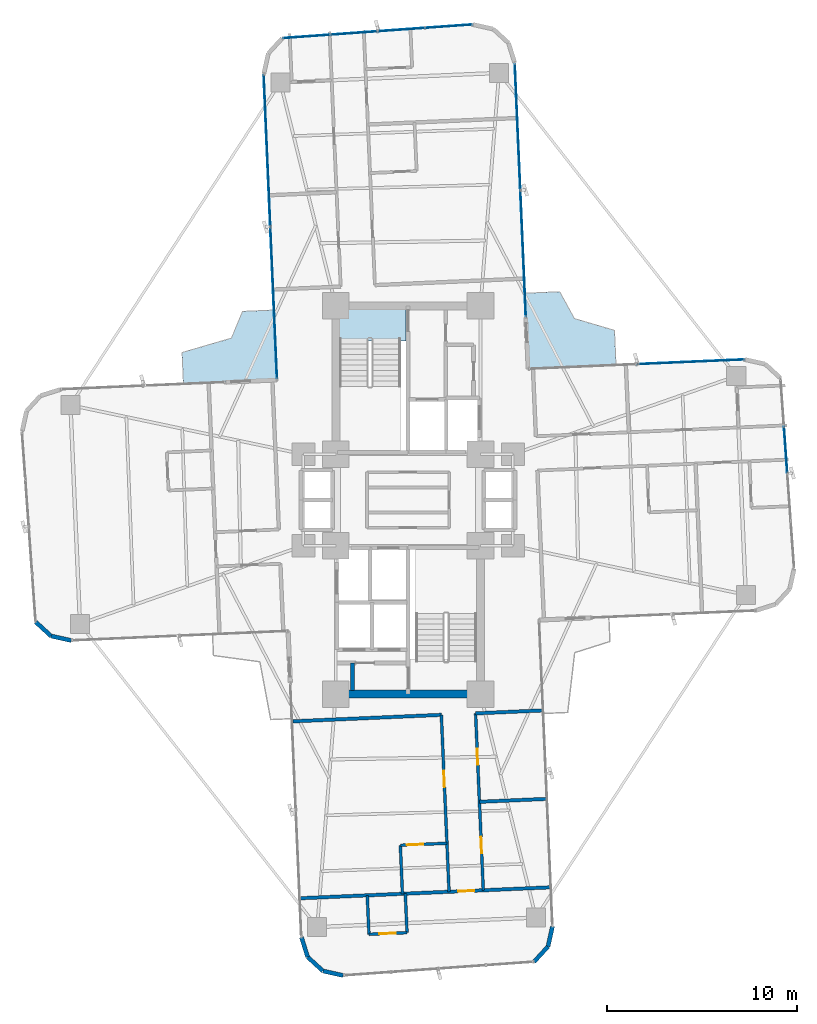
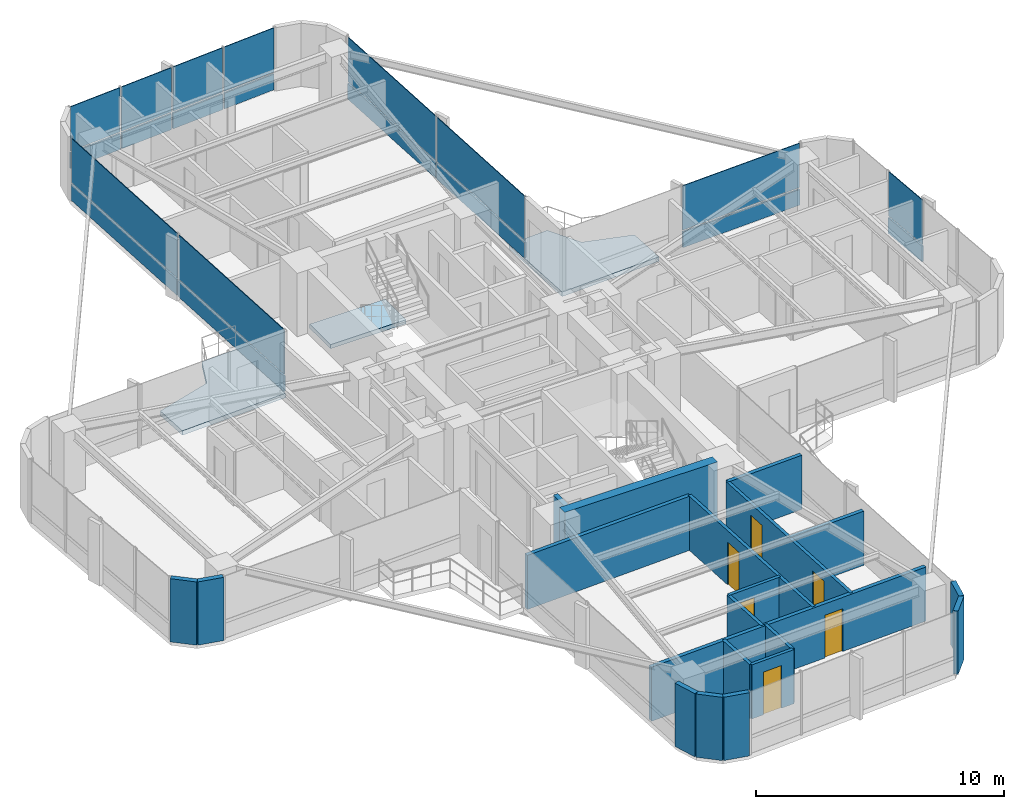
# One storey, part 22 of 26: 20 plates, 20 walls, 6 doors, 3 slabs, 6 openings, 5 elements without a shape of their own.
"""IFC4 building model written with IfcOpenShell, lengths in metres."""

import ifcopenshell
import ifcopenshell.guid

model = None  # the IFC model being written
_history = None  # IfcOwnerHistory: only IFC2X3 demands one
_inside = {}  # id of a spatial element -> (the spatial element, [elements in it])
_under = {}  # id of a project, library or spatial element -> (it, [spatial elements below it])
_declared = {}  # id of a project -> (the project, [libraries it declares])
_typed = {}  # id of a type object -> (the type object, [elements of that type])
_made_of = {}  # id of a material, layer set ... -> (it, [elements and type objects made of it])


def new_model(schema):
    """Start an empty IFC model of exactly this schema.

    Asked for "IFC4X3", IfcOpenShell would pick the latest addendum, in which some entities
    have other attributes; the version numbers below select the first issue.
    IFC2X3 requires an IfcOwnerHistory on every rooted entity: one is made here for all.
    """
    global model, _history
    if schema == "IFC4X3":
        model = ifcopenshell.file(schema_version=(4, 3, 0, 0))
    else:
        model = ifcopenshell.file(schema=schema)
    _inside.clear()
    _under.clear()
    _declared.clear()
    _typed.clear()
    _made_of.clear()
    _history = None
    if model.schema == "IFC2X3":
        org = make("IfcOrganization", Name="unknown")
        user = make(
            "IfcPersonAndOrganization",
            ThePerson=make("IfcPerson", FamilyName="unknown"),
            TheOrganization=org,
        )
        app = make(
            "IfcApplication",
            ApplicationDeveloper=org,
            Version="unknown",
            ApplicationFullName="unknown",
            ApplicationIdentifier="unknown",
        )
        _history = make(
            "IfcOwnerHistory",
            OwningUser=user,
            OwningApplication=app,
            ChangeAction="ADDED",
            CreationDate=0,
        )
    return model


def make(cls, **values):
    """One entity of the class cls with the attributes given. An attribute that is None is left unset."""
    return model.create_entity(
        cls, **{name: value for name, value in values.items() if value is not None}
    )


def rooted(cls, **values):
    """An entity with a GlobalId (a new one), such as an element, a storey or a relation."""
    return make(cls, GlobalId=ifcopenshell.guid.new(), OwnerHistory=_history, **values)


def si_unit(unit_type, name, prefix=None):
    """IfcSIUnit, for example si_unit("LENGTHUNIT", "METRE", prefix="MILLI")."""
    return make("IfcSIUnit", UnitType=unit_type, Prefix=prefix, Name=name)


def assignment(units):
    """IfcUnitAssignment: the units of a project."""
    return None if units is None else make("IfcUnitAssignment", Units=units)


def point(xyz):
    """IfcCartesianPoint."""
    return None if xyz is None else make("IfcCartesianPoint", Coordinates=xyz)


def direction(xyz):
    """IfcDirection."""
    return None if xyz is None else make("IfcDirection", DirectionRatios=xyz)


def frame(location, z_axis=None, x_axis=None):
    """IfcAxis2Placement3D, a coordinate frame: its origin and axes. An axis left out is left unset."""
    return make(
        "IfcAxis2Placement3D",
        Location=point(location),
        Axis=direction(z_axis),
        RefDirection=direction(x_axis),
    )


def frame_2d(location, x_axis=None):
    """IfcAxis2Placement2D, a coordinate frame in the plane: its origin and x axis."""
    return make(
        "IfcAxis2Placement2D", Location=point(location), RefDirection=direction(x_axis)
    )


def origin():
    """The frame at (0, 0, 0) with its axes left unset."""
    return frame((0.0, 0.0, 0.0))


def origin_2d():
    """The frame at (0, 0) in the plane with its x axis left unset."""
    return frame_2d((0.0, 0.0))


def place(relative_to, where):
    """IfcLocalPlacement: puts the frame where relative to a parent placement (None: the world)."""
    return make(
        "IfcLocalPlacement", PlacementRelTo=relative_to, RelativePlacement=where
    )


def context(
    kind, dimensions, precision=None, world=None, true_north=None, identifier=None
):
    """IfcGeometricRepresentationContext, for example the 3D "Model" context."""
    return make(
        "IfcGeometricRepresentationContext",
        ContextIdentifier=identifier,
        ContextType=kind,
        CoordinateSpaceDimension=dimensions,
        Precision=precision,
        WorldCoordinateSystem=world,
        TrueNorth=true_north,
    )


def subcontext(parent, identifier, kind, view, scale=None):
    """IfcGeometricRepresentationSubContext, for example "Body" below "Model"."""
    return make(
        "IfcGeometricRepresentationSubContext",
        ContextIdentifier=identifier,
        ContextType=kind,
        ParentContext=parent,
        TargetScale=scale,
        TargetView=view,
    )


def project(units=None, contexts=None):
    """IfcProject with its units and contexts."""
    return rooted(
        "IfcProject",
        Name="project",
        RepresentationContexts=contexts,
        UnitsInContext=assignment(units),
    )


def spatial(cls, under=None, at=None, **own):
    """A site, building, storey or space (cls), placed at a placement, below another one or the project."""
    s = rooted(cls, ObjectPlacement=at, **own)
    if under is not None:
        _under.setdefault(under.id(), (under, []))[1].append(s)
    return s


def polyline(points):
    """IfcPolyline through the points."""
    return make("IfcPolyline", Points=[point(p) for p in points])


def profile(cls, at=None, kind="AREA", **sizes):
    """A parametric profile (cls). Its sizes go by their IFC names, for example OverallWidth=200.0."""
    return make(cls, ProfileType=kind, Position=at, **sizes)


def rectangle(**sizes):
    """IfcRectangleProfileDef."""
    return profile("IfcRectangleProfileDef", **sizes)


def outline(outer, holes=None, kind="AREA"):
    """IfcArbitraryClosedProfileDef: a profile drawn as a closed curve; with holes, ...WithVoids."""
    if holes is None:
        return make("IfcArbitraryClosedProfileDef", ProfileType=kind, OuterCurve=outer)
    return make(
        "IfcArbitraryProfileDefWithVoids",
        ProfileType=kind,
        OuterCurve=outer,
        InnerCurves=holes,
    )


def extrude(swept, where, along, depth):
    """IfcExtrudedAreaSolid: the profile swept, set in the frame where, extruded along a direction by depth."""
    return make(
        "IfcExtrudedAreaSolid",
        SweptArea=swept,
        Position=where,
        ExtrudedDirection=direction(along),
        Depth=depth,
    )


def shape(context_of_items, identifier, shape_type, items):
    """IfcShapeRepresentation: the items that make up one representation, for example the "Body"."""
    return make(
        "IfcShapeRepresentation",
        ContextOfItems=context_of_items,
        RepresentationIdentifier=identifier,
        RepresentationType=shape_type,
        Items=items,
    )


def source(mapping_origin, context_of_items, identifier, shape_type, items):
    """IfcRepresentationMap: a shape defined once, which mapped items show again and again."""
    return make(
        "IfcRepresentationMap",
        MappingOrigin=mapping_origin,
        MappedRepresentation=shape(context_of_items, identifier, shape_type, items),
    )


def transform(
    local_origin,
    x_axis=None,
    y_axis=None,
    z_axis=None,
    scale=None,
    scale2=None,
    scale3=None,
    uniform=True,
):
    """IfcCartesianTransformationOperator3D, or its non-uniform kind. x_axis, y_axis, z_axis: its Axis1, 2, 3."""
    if uniform:
        return make(
            "IfcCartesianTransformationOperator3D",
            Axis1=direction(x_axis),
            Axis2=direction(y_axis),
            LocalOrigin=point(local_origin),
            Scale=scale,
            Axis3=direction(z_axis),
        )
    return make(
        "IfcCartesianTransformationOperator3DnonUniform",
        Axis1=direction(x_axis),
        Axis2=direction(y_axis),
        LocalOrigin=point(local_origin),
        Scale=scale,
        Axis3=direction(z_axis),
        Scale2=scale2,
        Scale3=scale3,
    )


def mapped(mapping_source, mapping_target):
    """IfcMappedItem: shows the shape of a source again, moved by a transform."""
    return make(
        "IfcMappedItem", MappingSource=mapping_source, MappingTarget=mapping_target
    )


def material(Name=None, Category=None):
    """IfcMaterial."""
    return make("IfcMaterial", Name=Name, Category=Category)


def layer(
    of_material, thickness, ventilated=None, Name=None, Category=None, Priority=None
):
    """IfcMaterialLayer: one layer of a wall or slab, of a material (None: an air gap)."""
    return make(
        "IfcMaterialLayer",
        Material=of_material,
        LayerThickness=thickness,
        IsVentilated=ventilated,
        Name=Name,
        Category=Category,
        Priority=Priority,
    )


def layer_set(layers, Name=None):
    """IfcMaterialLayerSet."""
    return make("IfcMaterialLayerSet", MaterialLayers=layers, LayerSetName=Name)


def made_of(thing, what):
    """Note that an element or type object is made of a material, layer set ...; save() writes the relation."""
    if what is not None:
        _made_of.setdefault(what.id(), (what, []))[1].append(thing)
    return thing


def type_object(cls, material=None, **own):
    """A type object (cls), such as IfcWallType, which elements share."""
    return made_of(rooted(cls, **own), material)


def element(
    cls,
    number,
    at=None,
    inside=None,
    cuts=None,
    type_object=None,
    material=None,
    context=None,
    identifier="Body",
    shape_type=None,
    held_by="IfcProductDefinitionShape",
    body=None,
    shapes=None,
    **own,
):
    """One element of the class cls, such as IfcWall. Its Tag is "e" and its number.

    at: its placement. inside: the storey or other place that contains it. cuts: it is an
    opening in that element (IfcRelVoidsElement). A single representation is given by context,
    identifier, shape_type and body (its items); several are given by shapes. held_by: the class
    of the entity that holds the representations. save() writes the other relations.
    """
    e = rooted(cls, Tag="e%d" % number, ObjectPlacement=at, **own)
    if body is not None:
        shapes = [shape(context, identifier, shape_type, body)]
    if shapes is not None:
        e.Representation = make(held_by, Representations=shapes)
    if inside is not None:
        _inside.setdefault(inside.id(), (inside, []))[1].append(e)
    if cuts is not None:
        rooted(
            "IfcRelVoidsElement", RelatingBuildingElement=cuts, RelatedOpeningElement=e
        )
    if type_object is not None:
        _typed.setdefault(type_object.id(), (type_object, []))[1].append(e)
    return made_of(e, material)


def fill(opening, filler):
    """IfcRelFillsElement: the door or window that sits in an opening."""
    return rooted(
        "IfcRelFillsElement",
        RelatingOpeningElement=opening,
        RelatedBuildingElement=filler,
    )


def aggregate(whole, parts):
    """IfcRelAggregates: a whole, such as a stair, and the parts it consists of."""
    return rooted("IfcRelAggregates", RelatingObject=whole, RelatedObjects=parts)


def save(model, path):
    """Write the relations noted so far, then the file.

    IfcRelAggregates (storeys below a building ...), IfcRelContainedInSpatialStructure (elements
    in a storey), IfcRelDefinesByType, IfcRelAssociatesMaterial and IfcRelDeclares: one each for
    every whole, place, type object, material and project.
    """
    for whole, parts in _under.values():
        aggregate(whole, parts)
    for where, things in _inside.values():
        rooted(
            "IfcRelContainedInSpatialStructure",
            RelatedElements=things,
            RelatingStructure=where,
        )
    for kind, things in _typed.values():
        rooted("IfcRelDefinesByType", RelatedObjects=things, RelatingType=kind)
    for what, things in _made_of.values():
        rooted("IfcRelAssociatesMaterial", RelatedObjects=things, RelatingMaterial=what)
    for by, libraries in _declared.values():
        rooted("IfcRelDeclares", RelatingContext=by, RelatedDefinitions=libraries)
    model.write(path)


model = new_model("IFC4")

# Units and contexts
model_context = context("Model", 3, precision=1e-05, world=origin(), true_north=direction((0.0, 1.0)))
body_context = subcontext(model_context, "Body", "Model", "MODEL_VIEW")
ifc_project = project(units=[si_unit("LENGTHUNIT", "METRE"), si_unit("AREAUNIT", "SQUARE_METRE"), si_unit("VOLUMEUNIT", "CUBIC_METRE"), si_unit("PLANEANGLEUNIT", "RADIAN"), si_unit("MASSUNIT", "GRAM", prefix="KILO")], contexts=[model_context])

# Site, building, storey
site_placement = place(None, origin())
site = spatial("IfcSite", under=ifc_project, at=site_placement, CompositionType="ELEMENT")
building_placement = place(site_placement, origin())
building = spatial("IfcBuilding", under=site, at=building_placement, Name="Sahyath Konkavel Grand Hotel", CompositionType="ELEMENT")
storey_placement = place(building_placement, frame((0.0, 0.0, 128.199951171875)))
storey = spatial("IfcBuildingStorey", under=building, at=storey_placement, Name="L35", CompositionType="ELEMENT", Elevation=128.199951171875)

# Slabs
ifc_material_1 = material(Name="Concrete C40/50", Category="concrete")
ifc_layer_1 = layer(ifc_material_1, 0.219970703125)
ifc_layer_set_1 = layer_set([ifc_layer_1], Name="Concrete C40/50")
slab_type_1 = type_object("IfcSlabType", Name="SLB-BALCONY-220", PredefinedType="FLOOR", material=ifc_layer_set_1)
slab_1_placement = place(storey_placement, frame((0.0, 0.0, -0.219970703125)))
element("IfcSlab", 1, at=slab_1_placement, inside=storey, type_object=slab_type_1, Name="L35 Winter-Garden Balcony NE", PredefinedType="FLOOR", context=body_context, shape_type="SweptSolid", body=[
    extrude(outline(polyline([(6.305908203125, 6.881591796875), (10.91943359375, 7.0830078125), (10.839599609375, 8.91015625), (8.732666015625, 9.530029296875), (7.959228515625, 10.939697265625), (6.132080078125, 10.85986328125), (6.305908203125, 6.881591796875)])), origin(), (0.0, 0.0, 1.0), 0.219970703125),
])
slab_2_placement = place(storey_placement, frame((0.0, 0.0, -0.219970703125)))
element("IfcSlab", 2, at=slab_2_placement, inside=storey, type_object=slab_type_1, Name="L35 Winter-Garden Balcony NW", PredefinedType="FLOOR", context=body_context, shape_type="SweptSolid", body=[
    extrude(outline(polyline([(-6.881591796875, 6.305908203125), (-7.0419921875, 9.978271484375), (-8.6962890625, 9.906005859375), (-9.27978515625, 8.50341796875), (-11.873291015625, 7.74560546875), (-11.80078125, 6.091064453125), (-6.881591796875, 6.305908203125)])), origin(), (0.0, 0.0, 1.0), 0.219970703125),
])
ifc_layer_2 = layer(ifc_material_1, 0.199951171875)
ifc_layer_set_2 = layer_set([ifc_layer_2], Name="Concrete C40/50")
slab_type_2 = type_object("IfcSlabType", Name="SLB-STAIR-LND", PredefinedType="LANDING", material=ifc_layer_set_2)
slab_3_placement = place(storey_placement, frame((0.0, 0.0, -0.199951171875)))
element("IfcSlab", 3, at=slab_3_placement, inside=storey, type_object=slab_type_2, Name="L35 Stair ST-1 Floor Landing Slab", PredefinedType="LANDING", context=body_context, shape_type="SweptSolid", body=[
    extrude(outline(polyline([(-3.6201171875, 8.35009765625), (-0.10009765625, 8.35009765625), (-0.10009765625, 10.02001953125), (-3.6201171875, 10.02001953125), (-3.6201171875, 8.35009765625)])), origin(), (0.0, 0.0, 1.0), 0.199951171875),
])

# Curtain wall, plate
ifc_material_2 = material(Name="Anodised Bronze Aluminium & Low-E Glazing", Category="aluminium")
curtain_wall_type = type_object("IfcCurtainWallType", Name="CW-ZONE2", PredefinedType="NOTDEFINED", material=ifc_material_2)
curtain_wall_1_placement = place(storey_placement, origin())
curtain_wall_1 = element("IfcCurtainWall", 4, at=curtain_wall_1_placement, inside=storey, type_object=curtain_wall_type, Name="L35 Unitised Curtain Wall F4", PredefinedType="NOTDEFINED")
ifc_material_3 = material(Name="Warm Buff Sandstone Cladding", Category="masonry")
ifc_layer_3 = layer(ifc_material_3, 0.074951171875)
ifc_layer_set_3 = layer_set([ifc_layer_3], Name="Warm Buff Sandstone Cladding")
plate_type_1 = type_object("IfcPlateType", Name="PNL-SPANDREL-STONE", PredefinedType="SHEET", material=ifc_layer_set_3)
shared_shape_1 = source(origin(), body_context, "Body", "SweptSolid", [
    extrude(rectangle(XDim=2.41357421875, YDim=0.074951171875, at=origin_2d()), origin(), (0.0, 0.0, 1.0), 0.77001953125),
])
plate_1_placement = place(storey_placement, frame((19.828369140625, 2.638671875, 0.0400390625), z_axis=(0.0, 0.0, 1.0), x_axis=(-0.071567078661, 0.997435789037, 0.0)))
plate_1 = element("IfcPlate", 5, at=plate_1_placement, type_object=plate_type_1, Name="L35 Sandstone Relief Spandrel Panel F4-2", PredefinedType="SHEET", context=body_context, shape_type="MappedRepresentation", body=[
    mapped(shared_shape_1, transform((0.0, 0.0, 0.0), scale=1.0)),
])

# Curtain wall, plates
curtain_wall_2_placement = place(storey_placement, origin())
curtain_wall_2 = element("IfcCurtainWall", 6, at=curtain_wall_2_placement, inside=storey, type_object=curtain_wall_type, Name="L35 Unitised Curtain Wall F12", PredefinedType="NOTDEFINED")
plate_2_placement = place(storey_placement, frame((2.130615234375, 24.880615234375, 0.0400390625), z_axis=(0.0, 0.0, 1.0), x_axis=(-0.997435789037, -0.071567078661, 0.0)))
plate_2 = element("IfcPlate", 7, at=plate_2_placement, type_object=plate_type_1, Name="L35 Sandstone Relief Spandrel Panel F12-0", PredefinedType="SHEET", context=body_context, shape_type="MappedRepresentation", body=[
    mapped(shared_shape_1, transform((0.0, 0.0, 0.0), scale=1.0)),
])
plate_3_placement = place(storey_placement, frame((-0.356689453125, 24.7021484375, 0.0400390625), z_axis=(0.0, 0.0, 1.0), x_axis=(-0.997435789037, -0.071567078661, 0.0)))
plate_3 = element("IfcPlate", 8, at=plate_3_placement, type_object=plate_type_1, Name="L35 Sandstone Relief Spandrel Panel F12-1", PredefinedType="SHEET", context=body_context, shape_type="MappedRepresentation", body=[
    mapped(shared_shape_1, transform((0.0, 0.0, 0.0), scale=1.0)),
])
plate_4_placement = place(storey_placement, frame((-2.84375, 24.523681640625, 0.0400390625), z_axis=(0.0, 0.0, 1.0), x_axis=(-0.997435789037, -0.071567078661, 0.0)))
plate_4 = element("IfcPlate", 9, at=plate_4_placement, type_object=plate_type_1, Name="L35 Sandstone Relief Spandrel Panel F12-2", PredefinedType="SHEET", context=body_context, shape_type="MappedRepresentation", body=[
    mapped(shared_shape_1, transform((0.0, 0.0, 0.0), scale=1.0)),
])
plate_5_placement = place(storey_placement, frame((-5.330810546875, 24.34521484375, 0.0400390625), z_axis=(0.0, 0.0, 1.0), x_axis=(-0.997435789037, -0.071567078661, 0.0)))
plate_5 = element("IfcPlate", 10, at=plate_5_placement, type_object=plate_type_1, Name="L35 Sandstone Relief Spandrel Panel F12-3", PredefinedType="SHEET", context=body_context, shape_type="MappedRepresentation", body=[
    mapped(shared_shape_1, transform((0.0, 0.0, 0.0), scale=1.0)),
])

# Curtain wall, plate
curtain_wall_3_placement = place(storey_placement, origin())
curtain_wall_3 = element("IfcCurtainWall", 11, at=curtain_wall_3_placement, inside=storey, type_object=curtain_wall_type, Name="L35 Unitised Curtain Wall F7", PredefinedType="NOTDEFINED")
shared_shape_2 = source(origin(), body_context, "Body", "SweptSolid", [
    extrude(rectangle(XDim=5.580078125, YDim=0.074951171875, at=origin_2d()), origin(), (0.0, 0.0, 1.0), 0.77001953125),
])
plate_6_placement = place(storey_placement, frame((14.82763671875, 7.25390625, 0.0400390625), z_axis=(0.0, 0.0, 1.0), x_axis=(-0.999048221582, -0.043619387365, 0.0)))
plate_6 = element("IfcPlate", 12, at=plate_6_placement, type_object=plate_type_1, Name="L35 Sandstone Relief Spandrel Panel F7-0", PredefinedType="SHEET", context=body_context, shape_type="MappedRepresentation", body=[
    mapped(shared_shape_2, transform((0.0, 0.0, 0.0), scale=1.0)),
])

# Curtain wall, plates
curtain_wall_4_placement = place(storey_placement, origin())
curtain_wall_4 = element("IfcCurtainWall", 13, at=curtain_wall_4_placement, inside=storey, type_object=curtain_wall_type, Name="L35 Unitised Curtain Wall F8", PredefinedType="NOTDEFINED")
shared_shape_3 = source(origin(), body_context, "Body", "SweptSolid", [
    extrude(rectangle(XDim=6.580078125, YDim=0.074951171875, at=origin_2d()), origin(), (0.0, 0.0, 1.0), 0.77001953125),
])
plate_7_placement = place(storey_placement, frame((6.041015625, 12.94580078125, 0.0400390625), z_axis=(0.0, 0.0, 1.0), x_axis=(-0.043619387365, 0.999048221582, 0.0)))
plate_7 = element("IfcPlate", 14, at=plate_7_placement, type_object=plate_type_1, Name="L35 Sandstone Relief Spandrel Panel F8-0", PredefinedType="SHEET", context=body_context, shape_type="MappedRepresentation", body=[
    mapped(shared_shape_3, transform((0.0, 0.0, 0.0), scale=1.0)),
])
plate_8_placement = place(storey_placement, frame((5.75048828125, 19.599609375, 0.0400390625), z_axis=(0.0, 0.0, 1.0), x_axis=(-0.043619387365, 0.999048221582, 0.0)))
plate_8 = element("IfcPlate", 15, at=plate_8_placement, type_object=plate_type_1, Name="L35 Sandstone Relief Spandrel Panel F8-1", PredefinedType="SHEET", context=body_context, shape_type="MappedRepresentation", body=[
    mapped(shared_shape_3, transform((0.0, 0.0, 0.0), scale=1.0)),
])

curtain_wall_5_placement = place(storey_placement, origin())
curtain_wall_5 = element("IfcCurtainWall", 16, at=curtain_wall_5_placement, inside=storey, type_object=curtain_wall_type, Name="L35 Unitised Curtain Wall F15", PredefinedType="NOTDEFINED")
shared_shape_4 = source(origin(), body_context, "Body", "SweptSolid", [
    extrude(rectangle(XDim=7.929931640625, YDim=0.074951171875, at=origin_2d()), origin(), (0.0, 0.0, 1.0), 0.77001953125),
])
plate_9_placement = place(storey_placement, frame((-7.407470703125, 18.349365234375, 0.0400390625), z_axis=(0.0, 0.0, 1.0), x_axis=(0.043619387365, -0.999048221582, 0.0)))
plate_9 = element("IfcPlate", 17, at=plate_9_placement, type_object=plate_type_1, Name="L35 Sandstone Relief Spandrel Panel F15-0", PredefinedType="SHEET", context=body_context, shape_type="MappedRepresentation", body=[
    mapped(shared_shape_4, transform((0.0, 0.0, 0.0), scale=1.0)),
])
plate_10_placement = place(storey_placement, frame((-7.05810546875, 10.346923828125, 0.0400390625), z_axis=(0.0, 0.0, 1.0), x_axis=(0.043619387365, -0.999048221582, 0.0)))
plate_10 = element("IfcPlate", 18, at=plate_10_placement, type_object=plate_type_1, Name="L35 Sandstone Relief Spandrel Panel F15-1", PredefinedType="SHEET", context=body_context, shape_type="MappedRepresentation", body=[
    mapped(shared_shape_4, transform((0.0, 0.0, 0.0), scale=1.0)),
])

# Plate
ifc_material_4 = material(Name="Low-E Solar Control Double Glazing", Category="glass")
ifc_layer_4 = layer(ifc_material_4, 0.035888671875)
ifc_layer_set_4 = layer_set([ifc_layer_4], Name="Low-E Solar Control Double Glazing")
plate_type_2 = type_object("IfcPlateType", Name="PNL-VISION-LOWE", PredefinedType="CURTAIN_PANEL", material=ifc_layer_set_4)
shared_shape_5 = source(origin(), body_context, "Body", "SweptSolid", [
    extrude(rectangle(XDim=2.41357421875, YDim=0.035888671875, at=origin_2d()), origin(), (0.0, 0.0, 1.0), 2.179931640625),
])
plate_11_placement = place(storey_placement, frame((19.828369140625, 2.638671875, 0.89013671875), z_axis=(0.0, 0.0, 1.0), x_axis=(-0.071567078661, 0.997435789037, 0.0)))
plate_11 = element("IfcPlate", 19, at=plate_11_placement, type_object=plate_type_2, Name="L35 Low-E Vision Glazing Panel F4-2", PredefinedType="CURTAIN_PANEL", context=body_context, shape_type="MappedRepresentation", body=[
    mapped(shared_shape_5, transform((0.0, 0.0, 0.0), scale=1.0)),
])

aggregate(curtain_wall_1, [plate_1, plate_11])

plate_12_placement = place(storey_placement, frame((2.130615234375, 24.880615234375, 0.89013671875), z_axis=(0.0, 0.0, 1.0), x_axis=(-0.997435789037, -0.071567078661, 0.0)))
plate_12 = element("IfcPlate", 20, at=plate_12_placement, type_object=plate_type_2, Name="L35 Low-E Vision Glazing Panel F12-0", PredefinedType="CURTAIN_PANEL", context=body_context, shape_type="MappedRepresentation", body=[
    mapped(shared_shape_5, transform((0.0, 0.0, 0.0), scale=1.0)),
])

plate_13_placement = place(storey_placement, frame((-0.356689453125, 24.7021484375, 0.89013671875), z_axis=(0.0, 0.0, 1.0), x_axis=(-0.997435789037, -0.071567078661, 0.0)))
plate_13 = element("IfcPlate", 21, at=plate_13_placement, type_object=plate_type_2, Name="L35 Low-E Vision Glazing Panel F12-1", PredefinedType="CURTAIN_PANEL", context=body_context, shape_type="MappedRepresentation", body=[
    mapped(shared_shape_5, transform((0.0, 0.0, 0.0), scale=1.0)),
])

plate_14_placement = place(storey_placement, frame((-2.84375, 24.523681640625, 0.89013671875), z_axis=(0.0, 0.0, 1.0), x_axis=(-0.997435789037, -0.071567078661, 0.0)))
plate_14 = element("IfcPlate", 22, at=plate_14_placement, type_object=plate_type_2, Name="L35 Low-E Vision Glazing Panel F12-2", PredefinedType="CURTAIN_PANEL", context=body_context, shape_type="MappedRepresentation", body=[
    mapped(shared_shape_5, transform((0.0, 0.0, 0.0), scale=1.0)),
])

plate_15_placement = place(storey_placement, frame((-5.330810546875, 24.34521484375, 0.89013671875), z_axis=(0.0, 0.0, 1.0), x_axis=(-0.997435789037, -0.071567078661, 0.0)))
plate_15 = element("IfcPlate", 23, at=plate_15_placement, type_object=plate_type_2, Name="L35 Low-E Vision Glazing Panel F12-3", PredefinedType="CURTAIN_PANEL", context=body_context, shape_type="MappedRepresentation", body=[
    mapped(shared_shape_5, transform((0.0, 0.0, 0.0), scale=1.0)),
])

aggregate(curtain_wall_2, [plate_2, plate_12, plate_3, plate_13, plate_4, plate_14, plate_5, plate_15])

shared_shape_6 = source(origin(), body_context, "Body", "SweptSolid", [
    extrude(rectangle(XDim=5.580078125, YDim=0.035888671875, at=origin_2d()), origin(), (0.0, 0.0, 1.0), 2.179931640625),
])
plate_16_placement = place(storey_placement, frame((14.82763671875, 7.25390625, 0.89013671875), z_axis=(0.0, 0.0, 1.0), x_axis=(-0.999048221582, -0.043619387365, 0.0)))
plate_16 = element("IfcPlate", 24, at=plate_16_placement, type_object=plate_type_2, Name="L35 Low-E Vision Glazing Panel F7-0", PredefinedType="CURTAIN_PANEL", context=body_context, shape_type="MappedRepresentation", body=[
    mapped(shared_shape_6, transform((0.0, 0.0, 0.0), scale=1.0)),
])

aggregate(curtain_wall_3, [plate_6, plate_16])

shared_shape_7 = source(origin(), body_context, "Body", "SweptSolid", [
    extrude(rectangle(XDim=6.580078125, YDim=0.035888671875, at=origin_2d()), origin(), (0.0, 0.0, 1.0), 2.179931640625),
])
plate_17_placement = place(storey_placement, frame((6.041015625, 12.94580078125, 0.89013671875), z_axis=(0.0, 0.0, 1.0), x_axis=(-0.043619387365, 0.999048221582, 0.0)))
plate_17 = element("IfcPlate", 25, at=plate_17_placement, type_object=plate_type_2, Name="L35 Low-E Vision Glazing Panel F8-0", PredefinedType="CURTAIN_PANEL", context=body_context, shape_type="MappedRepresentation", body=[
    mapped(shared_shape_7, transform((0.0, 0.0, 0.0), scale=1.0)),
])

plate_18_placement = place(storey_placement, frame((5.75048828125, 19.599609375, 0.89013671875), z_axis=(0.0, 0.0, 1.0), x_axis=(-0.043619387365, 0.999048221582, 0.0)))
plate_18 = element("IfcPlate", 26, at=plate_18_placement, type_object=plate_type_2, Name="L35 Low-E Vision Glazing Panel F8-1", PredefinedType="CURTAIN_PANEL", context=body_context, shape_type="MappedRepresentation", body=[
    mapped(shared_shape_7, transform((0.0, 0.0, 0.0), scale=1.0)),
])

aggregate(curtain_wall_4, [plate_7, plate_17, plate_8, plate_18])

shared_shape_8 = source(origin(), body_context, "Body", "SweptSolid", [
    extrude(rectangle(XDim=7.929931640625, YDim=0.035888671875, at=origin_2d()), origin(), (0.0, 0.0, 1.0), 2.179931640625),
])
plate_19_placement = place(storey_placement, frame((-7.407470703125, 18.349365234375, 0.89013671875), z_axis=(0.0, 0.0, 1.0), x_axis=(0.043619387365, -0.999048221582, 0.0)))
plate_19 = element("IfcPlate", 27, at=plate_19_placement, type_object=plate_type_2, Name="L35 Low-E Vision Glazing Panel F15-0", PredefinedType="CURTAIN_PANEL", context=body_context, shape_type="MappedRepresentation", body=[
    mapped(shared_shape_8, transform((0.0, 0.0, 0.0), scale=1.0)),
])

plate_20_placement = place(storey_placement, frame((-7.05810546875, 10.346923828125, 0.89013671875), z_axis=(0.0, 0.0, 1.0), x_axis=(0.043619387365, -0.999048221582, 0.0)))
plate_20 = element("IfcPlate", 28, at=plate_20_placement, type_object=plate_type_2, Name="L35 Low-E Vision Glazing Panel F15-1", PredefinedType="CURTAIN_PANEL", context=body_context, shape_type="MappedRepresentation", body=[
    mapped(shared_shape_8, transform((0.0, 0.0, 0.0), scale=1.0)),
])

aggregate(curtain_wall_5, [plate_9, plate_19, plate_10, plate_20])

# Walls
ifc_material_5 = material(Name="Concrete C50/60", Category="concrete")
ifc_layer_5 = layer(ifc_material_5, 0.419921875)
ifc_layer_set_5 = layer_set([ifc_layer_5], Name="Concrete C50/60")
wall_type_1 = type_object("IfcWallType", Name="CWALL-420", PredefinedType="SHEAR", material=ifc_layer_set_5)
wall_1_placement = place(storey_placement, frame((-3.550048828125, -10.199951171875, 0.0), z_axis=(0.0, 0.0, 1.0), x_axis=(1.0, 0.0, 0.0)))
element("IfcWall", 29, at=wall_1_placement, inside=storey, type_object=wall_type_1, Name="L35 South Core Shear Wall S", PredefinedType="SHEAR", context=body_context, shape_type="SweptSolid", body=[
    extrude(rectangle(XDim=7.10009765625, YDim=0.419921875, at=frame_2d((3.550048828125, 0.0))), origin(), (0.0, 0.0, 1.0), 3.110107421875),
])
ifc_material_6 = material(Name="Warm Buff Sandstone Insulated Concrete C40/50", Category="masonry")
ifc_layer_6 = layer(ifc_material_6, 0.219970703125)
ifc_layer_set_6 = layer_set([ifc_layer_6], Name="Warm Buff Sandstone Insulated Concrete C40/50")
wall_type_2 = type_object("IfcWallType", Name="WLL-BALC-THRESH", PredefinedType="STANDARD", material=ifc_layer_set_6)
wall_2_placement = place(storey_placement, frame((-19.5576171875, -6.4091796875, 0.0), z_axis=(0.0, 0.0, 1.0), x_axis=(0.737210081318, -0.675663596772, 0.0)))
element("IfcWall", 30, at=wall_2_placement, inside=storey, type_object=wall_type_2, Name="L35 Rounded Corner Sandstone Pier 21", PredefinedType="STANDARD", context=body_context, shape_type="SweptSolid", body=[
    extrude(rectangle(XDim=1.0869140625, YDim=0.219970703125, at=frame_2d((0.54345703125, 0.0))), origin(), (0.0, 0.0, 1.0), 3.110107421875),
])
wall_3_placement = place(storey_placement, frame((-18.75634765625, -7.1435546875, 0.0), z_axis=(0.0, 0.0, 1.0), x_axis=(0.976282085775, -0.216502399514, 0.0)))
element("IfcWall", 31, at=wall_3_placement, inside=storey, type_object=wall_type_2, Name="L35 Rounded Corner Sandstone Pier 22", PredefinedType="STANDARD", context=body_context, shape_type="SweptSolid", body=[
    extrude(rectangle(XDim=1.087158203125, YDim=0.219970703125, at=frame_2d((0.54345703125, 0.0))), origin(), (0.0, 0.0, 1.0), 3.110107421875),
])
wall_4_placement = place(storey_placement, frame((-5.603515625, -22.96630859375, 0.0), z_axis=(0.0, 0.0, 1.0), x_axis=(0.300755105707, -0.953701403161, 0.0)))
element("IfcWall", 32, at=wall_4_placement, inside=storey, type_object=wall_type_2, Name="L35 Rounded Corner Sandstone Pier 25", PredefinedType="STANDARD", context=body_context, shape_type="SweptSolid", body=[
    extrude(rectangle(XDim=1.0869140625, YDim=0.219970703125, at=frame_2d((0.54345703125, 0.0))), origin(), (0.0, 0.0, 1.0), 3.110107421875),
])
wall_5_placement = place(storey_placement, frame((-5.276611328125, -24.0029296875, 0.0), z_axis=(0.0, 0.0, 1.0), x_axis=(0.737312600672, -0.675551721847, 0.0)))
element("IfcWall", 33, at=wall_5_placement, inside=storey, type_object=wall_type_2, Name="L35 Rounded Corner Sandstone Pier 26", PredefinedType="STANDARD", context=body_context, shape_type="SweptSolid", body=[
    extrude(rectangle(XDim=1.087158203125, YDim=0.219970703125, at=frame_2d((0.54345703125, 0.0))), origin(), (0.0, 0.0, 1.0), 3.110107421875),
])
for number, where, z_axis, x_axis, name in (
    (34, (-4.47509765625, -24.7373046875, 0.0), (0.0, 0.0, 1.0), (0.976271555154, -0.216549880158, 0.0), "L35 Rounded Corner Sandstone Pier 27"),
    (35, (6.6142578125, -24.253173828125, 0.0), (0.0, 0.0, 1.0), (0.675663596772, 0.737210081318, 0.0), "L35 Rounded Corner Sandstone Pier 29"),
):
    element("IfcWall", number, at=place(storey_placement, frame(where, z_axis=z_axis, x_axis=x_axis)), inside=storey, type_object=wall_type_2, Name=name, PredefinedType="STANDARD", context=body_context, shape_type="SweptSolid", body=[
        extrude(rectangle(XDim=1.0869140625, YDim=0.219970703125, at=frame_2d((0.54345703125, 0.0))), origin(), (0.0, 0.0, 1.0), 3.110107421875),
    ])
wall_6_placement = place(storey_placement, frame((7.3486328125, -23.451904296875, 0.0), z_axis=(0.0, 0.0, 1.0), x_axis=(0.216454939174, 0.976292609471, 0.0)))
element("IfcWall", 36, at=wall_6_placement, inside=storey, type_object=wall_type_2, Name="L35 Rounded Corner Sandstone Pier 30", PredefinedType="STANDARD", context=body_context, shape_type="SweptSolid", body=[
    extrude(rectangle(XDim=1.08740234375, YDim=0.219970703125, at=frame_2d((0.543701171875, 0.0))), origin(), (0.0, 0.0, 1.0), 3.110107421875),
])
ifc_layer_7 = layer(ifc_material_1, 0.199951171875)
ifc_layer_set_7 = layer_set([ifc_layer_7], Name="Concrete C40/50")
wall_type_3 = type_object("IfcWallType", Name="WLL-CORE-200", PredefinedType="SOLIDWALL", material=ifc_layer_set_7)
wall_7_placement = place(storey_placement, frame((-2.919921875, -10.0, 0.0), z_axis=(0.0, 0.0, 1.0), x_axis=(0.0, 1.0, 0.0)))
element("IfcWall", 37, at=wall_7_placement, inside=storey, type_object=wall_type_3, Name="L35 Partition SFF-W2", PredefinedType="SOLIDWALL", context=body_context, shape_type="SweptSolid", body=[
    extrude(rectangle(XDim=1.43994140625, YDim=0.199951171875, at=frame_2d((0.719970703125, 0.0))), origin(), (0.0, 0.0, 1.0), 2.66015625),
])
ifc_material_7 = material(Name="Twin-Stud Acoustic Gypsum Plasterboard Partition")
ifc_layer_8 = layer(ifc_material_7, 0.179931640625)
ifc_layer_set_8 = layer_set([ifc_layer_8], Name="Twin-Stud Acoustic Gypsum Plasterboard Partition")
wall_type_4 = type_object("IfcWallType", Name="WLL-DEMISE-180", PredefinedType="PARTITIONING", material=ifc_layer_set_8)
wall_8_placement = place(storey_placement, frame((3.542236328125, -11.206298828125, 0.0), z_axis=(0.0, 0.0, 1.0), x_axis=(0.999046129111, 0.04366728647, 0.0)))
element("IfcWall", 38, at=wall_8_placement, inside=storey, type_object=wall_type_4, Name="L35 Partition S-INL", PredefinedType="PARTITIONING", context=body_context, shape_type="SweptSolid", body=[
    extrude(rectangle(XDim=3.5, YDim=0.179931640625, at=frame_2d((1.75, 0.0))), origin(), (0.0, 0.0, 1.0), 2.66015625),
])
wall_9_placement = place(storey_placement, frame((-6.048583984375, -11.625, 0.0), z_axis=(0.0, 0.0, 1.0), x_axis=(0.999047634936, 0.043632821702, 0.0)))
element("IfcWall", 39, at=wall_9_placement, inside=storey, type_object=wall_type_4, Name="L35 Partition S-INR", PredefinedType="PARTITIONING", context=body_context, shape_type="SweptSolid", body=[
    extrude(rectangle(XDim=7.7998046875, YDim=0.179931640625, at=frame_2d((3.89990234375, 0.0))), origin(), (0.0, 0.0, 1.0), 2.66015625),
])
wall_10_placement = place(storey_placement, frame((3.7451171875, -15.851806640625, 0.0), z_axis=(0.0, 0.0, 1.0), x_axis=(0.999049169846, 0.043597663116, 0.0)))
element("IfcWall", 40, at=wall_10_placement, inside=storey, type_object=wall_type_4, Name="L35 Partition S-S4L1-DEM", PredefinedType="PARTITIONING", context=body_context, shape_type="SweptSolid", body=[
    extrude(rectangle(XDim=3.5, YDim=0.179931640625, at=frame_2d((1.75, 0.0))), origin(), (0.0, 0.0, 1.0), 2.66015625),
])

# Wall, opening, door
wall_11_placement = place(storey_placement, frame((-5.64306640625, -20.916015625, 0.0), z_axis=(0.0, 0.0, 1.0), x_axis=(0.999047841598, 0.043628089563, 0.0)))
wall_11 = element("IfcWall", 41, at=wall_11_placement, inside=storey, type_object=wall_type_4, Name="L35 Partition S-STIP-END", PredefinedType="PARTITIONING", context=body_context, shape_type="SweptSolid", body=[
    extrude(rectangle(XDim=13.10009765625, YDim=0.179931640625, at=frame_2d((6.550048828125, 0.0))), origin(), (0.0, 0.0, 1.0), 2.66015625),
])
opening_1_placement = place(wall_11_placement, frame((8.27490234375, 0.0, 0.0)))
opening_1 = element("IfcOpeningElement", 42, at=opening_1_placement, cuts=wall_11, Name="Opening D-F06D", PredefinedType="OPENING", context=body_context, shape_type="SweptSolid", body=[
    extrude(rectangle(XDim=0.85009765625, YDim=2.10009765625, at=frame_2d((0.425048828125, 1.050048828125))), frame((0.0, 0.10009765625, 0.0), z_axis=(0.0, -1.0, 0.0), x_axis=(1.0, 0.0, 0.0)), (0.0, 0.0, 1.0), 0.199951171875),
])
ifc_material_8 = material(Name="Fire-Rated Shaft Access Door")
door_type_1 = type_object("IfcDoorType", Name="DR-FD60-850", OperationType="NOTDEFINED", PredefinedType="DOOR", material=ifc_material_8)
shared_shape_9 = source(origin(), body_context, "Body", "SweptSolid", [
    extrude(rectangle(XDim=0.85009765625, YDim=0.050048828125, at=origin_2d()), origin(), (0.0, 0.0, 1.0), 2.10009765625),
])
door_1_placement = place(opening_1_placement, frame((0.425048828125, 0.0, 0.0)))
door_1 = element("IfcDoor", 43, at=door_1_placement, inside=storey, type_object=door_type_1, Name="L35 Door S-STIP-ED", OperationType="SINGLE_SWING_LEFT", OverallHeight=2.10009765625, OverallWidth=0.85009765625, PredefinedType="DOOR", context=body_context, shape_type="MappedRepresentation", body=[
    mapped(shared_shape_9, transform((0.0, 0.0, 0.0), scale=1.0)),
])
fill(opening_1, door_1)

# Wall, openings, doors
ifc_material_9 = material(Name="Fire-Rated Gypsum Plasterboard Partition")
ifc_layer_9 = layer(ifc_material_9, 0.14990234375)
ifc_layer_set_9 = layer_set([ifc_layer_9], Name="Fire-Rated Gypsum Plasterboard Partition")
wall_type_5 = type_object("IfcWallType", Name="WLL-PART-150", PredefinedType="PARTITIONING", material=ifc_layer_set_9)
wall_12_placement = place(storey_placement, frame((3.542236328125, -11.206298828125, 0.0), z_axis=(0.0, 0.0, 1.0), x_axis=(0.043604692074, -0.999048863084, 0.0)))
wall_12 = element("IfcWall", 44, at=wall_12_placement, inside=storey, type_object=wall_type_5, Name="L35 Partition S-CL", PredefinedType="PARTITIONING", context=body_context, shape_type="SweptSolid", body=[
    extrude(rectangle(XDim=9.2998046875, YDim=0.14990234375, at=frame_2d((4.64990234375, 0.0))), origin(), (0.0, 0.0, 1.0), 2.66015625),
])
opening_2_placement = place(wall_12_placement, frame((1.85009765625, 0.0, 0.0)))
opening_2 = element("IfcOpeningElement", 45, at=opening_2_placement, cuts=wall_12, Name="Opening D-F06D", PredefinedType="OPENING", context=body_context, shape_type="SweptSolid", body=[
    extrude(rectangle(XDim=0.85009765625, YDim=2.10009765625, at=frame_2d((0.425048828125, 1.050048828125))), frame((0.0, 0.0849609375, 0.0), z_axis=(0.0, -1.0, 0.0), x_axis=(1.0, 0.0, 0.0)), (0.0, 0.0, 1.0), 0.169921875),
])
opening_3_placement = place(wall_12_placement, frame((6.5, 0.0, 0.0)))
opening_3 = element("IfcOpeningElement", 46, at=opening_3_placement, cuts=wall_12, Name="Opening D-F06D", PredefinedType="OPENING", context=body_context, shape_type="SweptSolid", body=[
    extrude(rectangle(XDim=0.85009765625, YDim=2.10009765625, at=frame_2d((0.425048828125, 1.050048828125))), frame((0.0, 0.0849609375, 0.0), z_axis=(0.0, -1.0, 0.0), x_axis=(1.0, 0.0, 0.0)), (0.0, 0.0, 1.0), 0.169921875),
])
door_2_placement = place(opening_2_placement, frame((0.425048828125, 0.0, 0.0)))
door_2 = element("IfcDoor", 47, at=door_2_placement, inside=storey, type_object=door_type_1, Name="L35 Door S-S4L1-D", OperationType="SINGLE_SWING_RIGHT", OverallHeight=2.10009765625, OverallWidth=0.85009765625, PredefinedType="DOOR", context=body_context, shape_type="MappedRepresentation", body=[
    mapped(shared_shape_9, transform((0.0, 0.0, 0.0), scale=1.0)),
])
fill(opening_2, door_2)
door_3_placement = place(opening_3_placement, frame((0.425048828125, 0.0, 0.0)))
door_3 = element("IfcDoor", 48, at=door_3_placement, inside=storey, type_object=door_type_1, Name="L35 Door S-S4L2-D", OperationType="SINGLE_SWING_LEFT", OverallHeight=2.10009765625, OverallWidth=0.85009765625, PredefinedType="DOOR", context=body_context, shape_type="MappedRepresentation", body=[
    mapped(shared_shape_9, transform((0.0, 0.0, 0.0), scale=1.0)),
])
fill(opening_3, door_3)

# Wall, opening, door
wall_13_placement = place(storey_placement, frame((1.743896484375, -11.28466796875, 0.0), z_axis=(0.0, 0.0, 1.0), x_axis=(0.043630894187, -0.999047719117, 0.0)))
wall_13 = element("IfcWall", 49, at=wall_13_placement, inside=storey, type_object=wall_type_5, Name="L35 Partition S-CR", PredefinedType="PARTITIONING", context=body_context, shape_type="SweptSolid", body=[
    extrude(rectangle(XDim=9.2998046875, YDim=0.14990234375, at=frame_2d((4.64990234375, 0.0))), origin(), (0.0, 0.0, 1.0), 2.66015625),
])
opening_4_placement = place(wall_13_placement, frame((2.949951171875, 0.0, 0.0)))
opening_4 = element("IfcOpeningElement", 50, at=opening_4_placement, cuts=wall_13, Name="Opening D-F06D", PredefinedType="OPENING", context=body_context, shape_type="SweptSolid", body=[
    extrude(rectangle(XDim=0.85009765625, YDim=2.10009765625, at=frame_2d((0.425048828125, 1.050048828125))), frame((0.0, 0.0849609375, 0.0), z_axis=(0.0, -1.0, 0.0), x_axis=(1.0, 0.0, 0.0)), (0.0, 0.0, 1.0), 0.169921875),
])
door_4_placement = place(opening_4_placement, frame((0.425048828125, 0.0, 0.0)))
door_4 = element("IfcDoor", 51, at=door_4_placement, inside=storey, type_object=door_type_1, Name="L35 Door S-S4R1-ED", OperationType="SINGLE_SWING_LEFT", OverallHeight=2.10009765625, OverallWidth=0.85009765625, PredefinedType="DOOR", context=body_context, shape_type="MappedRepresentation", body=[
    mapped(shared_shape_9, transform((0.0, 0.0, 0.0), scale=1.0)),
])
fill(opening_4, door_4)

wall_14_placement = place(storey_placement, frame((2.038330078125, -18.0283203125, 0.0), z_axis=(0.0, 0.0, 1.0), x_axis=(-0.999051263243, -0.043549666039, 0.0)))
wall_14 = element("IfcWall", 52, at=wall_14_placement, inside=storey, type_object=wall_type_5, Name="L35 Partition S-S4R1-BS", PredefinedType="PARTITIONING", context=body_context, shape_type="SweptSolid", body=[
    extrude(rectangle(XDim=2.449951171875, YDim=0.14990234375, at=frame_2d((1.22509765625, 0.0))), origin(), (0.0, 0.0, 1.0), 2.66015625),
])
opening_5_placement = place(wall_14_placement, frame((1.25, 0.0, 0.0)))
opening_5 = element("IfcOpeningElement", 53, at=opening_5_placement, cuts=wall_14, Name="Opening D-BT85", PredefinedType="OPENING", context=body_context, shape_type="SweptSolid", body=[
    extrude(rectangle(XDim=0.85009765625, YDim=2.10009765625, at=frame_2d((0.425048828125, 1.050048828125))), frame((0.0, 0.0849609375, 0.0), z_axis=(0.0, -1.0, 0.0), x_axis=(1.0, 0.0, 0.0)), (0.0, 0.0, 1.0), 0.169921875),
])
ifc_material_10 = material(Name="Moisture-Resistant Teak Bathroom Door")
door_type_2 = type_object("IfcDoorType", Name="DR-BATH-850", OperationType="NOTDEFINED", PredefinedType="DOOR", material=ifc_material_10)
door_5_placement = place(opening_5_placement, frame((0.425048828125, 0.0, 0.0)))
door_5 = element("IfcDoor", 54, at=door_5_placement, inside=storey, type_object=door_type_2, Name="L35 Door S-S4R1-BD", OperationType="SINGLE_SWING_RIGHT", OverallHeight=2.10009765625, OverallWidth=0.85009765625, PredefinedType="DOOR", context=body_context, shape_type="MappedRepresentation", body=[
    mapped(shared_shape_9, transform((0.0, 0.0, 0.0), scale=1.0)),
])
fill(opening_5, door_5)

# Walls
wall_15_placement = place(storey_placement, frame((-0.4091796875, -18.135009765625, 0.0), z_axis=(0.0, 0.0, 1.0), x_axis=(0.043561867058, -0.999050731314, 0.0)))
element("IfcWall", 55, at=wall_15_placement, inside=storey, type_object=wall_type_5, Name="L35 Partition S-S4R1-BF", PredefinedType="PARTITIONING", context=body_context, shape_type="SweptSolid", body=[
    extrude(rectangle(XDim=2.550048828125, YDim=0.14990234375, at=frame_2d((1.27490234375, 0.0))), origin(), (0.0, 0.0, 1.0), 2.66015625),
])
wall_16_placement = place(storey_placement, frame((-0.148193359375, -20.676025390625, 0.0), z_axis=(0.0, 0.0, 1.0), x_axis=(0.043587097972, -0.999049630844, 0.0)))
element("IfcWall", 56, at=wall_16_placement, inside=storey, type_object=wall_type_5, Name="L35 Partition S-STIP-BN", PredefinedType="PARTITIONING", context=body_context, shape_type="SweptSolid", body=[
    extrude(rectangle(XDim=2.050048828125, YDim=0.14990234375, at=frame_2d((1.02490234375, 0.0))), origin(), (0.0, 0.0, 1.0), 2.66015625),
])
wall_17_placement = place(storey_placement, frame((-2.146484375, -20.763427734375, 0.0), z_axis=(0.0, 0.0, 1.0), x_axis=(0.043711161805, -0.9990442104, 0.0)))
element("IfcWall", 57, at=wall_17_placement, inside=storey, type_object=wall_type_5, Name="L35 Partition S-STIP-BS", PredefinedType="PARTITIONING", context=body_context, shape_type="SweptSolid", body=[
    extrude(rectangle(XDim=2.0498046875, YDim=0.14990234375, at=frame_2d((1.02490234375, 0.0))), origin(), (0.0, 0.0, 1.0), 2.66015625),
])

# Wall, opening, door
wall_18_placement = place(storey_placement, frame((-2.056884765625, -22.811279296875, 0.0), z_axis=(0.0, 0.0, 1.0), x_axis=(0.999049929275, 0.043580257179, 0.0)))
wall_18 = element("IfcWall", 58, at=wall_18_placement, inside=storey, type_object=wall_type_5, Name="L35 Partition S-STIP-BE", PredefinedType="PARTITIONING", context=body_context, shape_type="SweptSolid", body=[
    extrude(rectangle(XDim=2.0, YDim=0.14990234375, at=frame_2d((1.0, 0.0))), origin(), (0.0, 0.0, 1.0), 2.66015625),
])
opening_6_placement = place(wall_18_placement, frame((0.550048828125, 0.0, 0.0)))
opening_6 = element("IfcOpeningElement", 59, at=opening_6_placement, cuts=wall_18, Name="Opening D-BT85", PredefinedType="OPENING", context=body_context, shape_type="SweptSolid", body=[
    extrude(rectangle(XDim=0.85009765625, YDim=2.10009765625, at=frame_2d((0.425048828125, 1.050048828125))), frame((0.0, 0.0849609375, 0.0), z_axis=(0.0, -1.0, 0.0), x_axis=(1.0, 0.0, 0.0)), (0.0, 0.0, 1.0), 0.169921875),
])
door_6_placement = place(opening_6_placement, frame((0.425048828125, 0.0, 0.0)))
door_6 = element("IfcDoor", 60, at=door_6_placement, inside=storey, type_object=door_type_2, Name="L35 Door S-STIP-BD", OperationType="SINGLE_SWING_RIGHT", OverallHeight=2.10009765625, OverallWidth=0.85009765625, PredefinedType="DOOR", context=body_context, shape_type="MappedRepresentation", body=[
    mapped(shared_shape_9, transform((0.0, 0.0, 0.0), scale=1.0)),
])
fill(opening_6, door_6)

save(model, "model.ifc")
